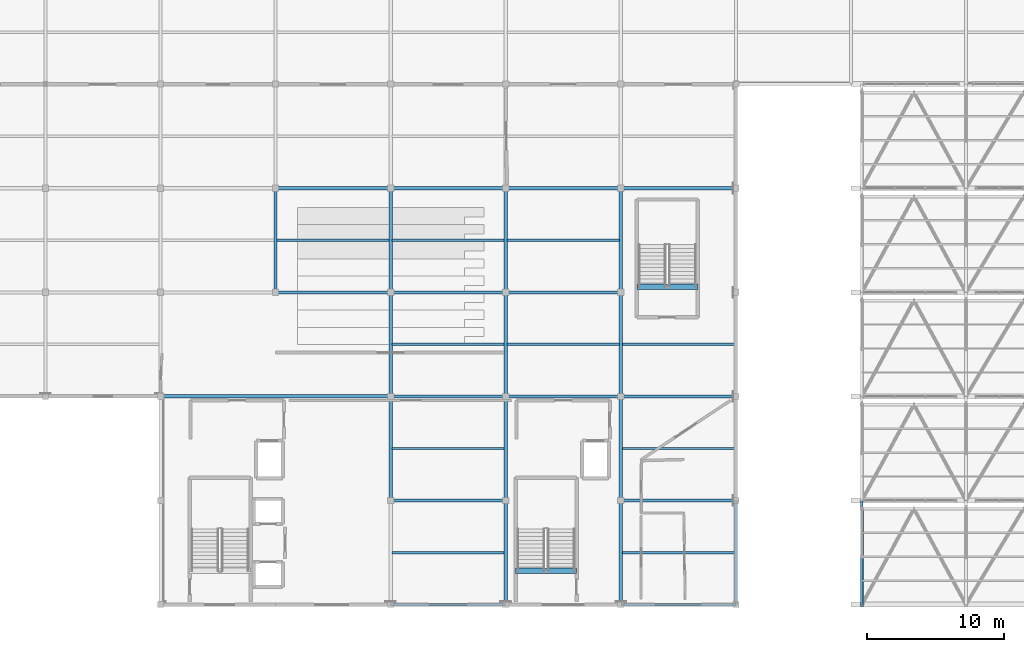
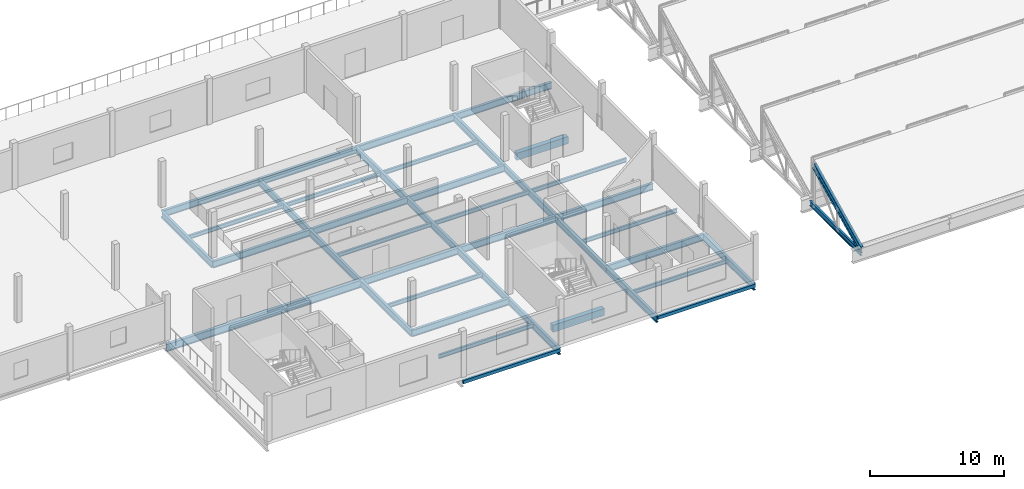
# One storey, part 3 of 57: 40 beams, 2 members.
"""IFC4 building model written with IfcOpenShell, lengths in metres."""

from ifc_helpers import new_model, si_unit, direction, frame, origin, origin_2d, place, context, subcontext, project, spatial, rectangle, hollow_rectangle, i_section, extrude, material, material_profile, profile_set, type_object, element, save


model = new_model("IFC4")

# Units and contexts
model_context = context("Model", 3, precision=1e-05, world=origin(), true_north=direction((0.0, 1.0)))
body_context = subcontext(model_context, "Body", "Model", "MODEL_VIEW")
ifc_project = project(units=[si_unit("LENGTHUNIT", "METRE"), si_unit("AREAUNIT", "SQUARE_METRE"), si_unit("VOLUMEUNIT", "CUBIC_METRE"), si_unit("PLANEANGLEUNIT", "RADIAN"), si_unit("MASSUNIT", "GRAM", prefix="KILO")], contexts=[model_context])

# Site, building, storey
site_placement = place(None, origin())
site = spatial("IfcSite", under=ifc_project, at=site_placement, CompositionType="ELEMENT")
building_placement = place(site_placement, origin())
building = spatial("IfcBuilding", under=site, at=building_placement, Name="Zuvorla Pavilion Media Centre", CompositionType="ELEMENT")
storey_placement = place(building_placement, frame((0.0, 0.0, 18.0)))
storey = spatial("IfcBuildingStorey", under=building, at=storey_placement, Name="L04", CompositionType="ELEMENT", Elevation=18.0)

# Beams
ifc_material_1 = material(Name="Concrete C40/50", Category="concrete")
ifc_material_profile_1 = material_profile(ifc_material_1, rectangle(XDim=0.39990234375, YDim=0.64990234375, at=origin_2d()), Name="RC 400x650")
ifc_profile_set_1 = profile_set([ifc_material_profile_1], Name="Concrete C40/50")
beam_type_1 = type_object("IfcBeamType", Name="BM-RC-650", PredefinedType="BEAM", material=ifc_profile_set_1)
for number, where, z_axis, x_axis, name in (
    (1, (92.72998046875, 8.469970703125, -0.323974609375), (1.0, 0.0, 0.0), (0.0, 1.0, 0.0), "L04 ST-02 landing trimmer beam"),
    (2, (101.580078125, 29.219970703125, -0.323974609375), (1.0, 0.0, 0.0), (0.0, 1.0, 0.0), "L04 ST-04 landing trimmer beam"),
):
    element("IfcBeam", number, at=place(storey_placement, frame(where, z_axis=z_axis, x_axis=x_axis)), inside=storey, type_object=beam_type_1, Name=name, PredefinedType="BEAM", context=body_context, shape_type="SweptSolid", body=[
        extrude(rectangle(XDim=0.39990234375, YDim=0.64990234375, at=origin_2d()), origin(), (0.0, 0.0, 1.0), 4.43994140625),
    ])
ifc_material_2 = material(Name="Steel S355", Category="steel")
ifc_material_profile_2 = material_profile(ifc_material_2, hollow_rectangle(XDim=0.199951171875, YDim=0.300048828125, WallThickness=0.012451171875, at=origin_2d()), Name="RHS 300x200x12.5")
ifc_profile_set_2 = profile_set([ifc_material_profile_2], Name="Steel S355")
beam_type_2 = type_object("IfcBeamType", Name="BM-SP-RHS300", PredefinedType="SPANDREL", material=ifc_profile_set_2)
beam_1_placement = place(storey_placement, frame((83.60009765625, 6.0, -0.577880859375), z_axis=(1.0, 0.0, 0.0), x_axis=(0.0, 1.0, 0.0)))
element("IfcBeam", 3, at=beam_1_placement, inside=storey, type_object=beam_type_2, Name="L04 spandrel SP01 1293", PredefinedType="SPANDREL", context=body_context, shape_type="SweptSolid", body=[
    extrude(hollow_rectangle(XDim=0.199951171875, YDim=0.300048828125, WallThickness=0.012451171875, at=origin_2d()), origin(), (0.0, 0.0, 1.0), 8.39990234375),
])
beam_2_placement = place(storey_placement, frame((100.39990234375, 6.0, -0.577880859375), z_axis=(1.0, 0.0, 0.0), x_axis=(0.0, 1.0, 0.0)))
element("IfcBeam", 4, at=beam_2_placement, inside=storey, type_object=beam_type_2, Name="L04 spandrel SP01 1294", PredefinedType="SPANDREL", context=body_context, shape_type="SweptSolid", body=[
    extrude(hollow_rectangle(XDim=0.199951171875, YDim=0.300048828125, WallThickness=0.012451171875, at=origin_2d()), origin(), (0.0, 0.0, 1.0), 8.400146484375),
])
ifc_material_profile_3 = material_profile(ifc_material_2, i_section(OverallWidth=0.172119140625, OverallDepth=0.35791015625, WebThickness=0.008056640625, FlangeThickness=0.012939453125, FilletRadius=0.01025390625, at=origin_2d()), Name="UB 356x171x57")
ifc_profile_set_3 = profile_set([ifc_material_profile_3], Name="Steel S355")
beam_type_3 = type_object("IfcBeamType", Name="BM-UB356", PredefinedType="JOIST", material=ifc_profile_set_3)
for number, where, z_axis, x_axis, name in (
    (5, (75.3095703125, 32.60009765625, -0.60693359375), (1.0, 0.0, 0.0), (0.0, 1.0, 0.0), "L04 joist J03 1502"),
    (6, (83.70947265625, 9.800048828125, -0.60693359375), (1.0, 0.0, 0.0), (0.0, 1.0, 0.0), "L04 joist J03 1506"),
    (7, (83.70947265625, 17.39990234375, -0.60693359375), (1.0, 0.0, 0.0), (0.0, 1.0, 0.0), "L04 joist J03 1507"),
    (8, (83.70947265625, 25.0, -0.60693359375), (1.0, 0.0, 0.0), (0.0, 1.0, 0.0), "L04 joist J03 1508"),
    (9, (83.70947265625, 32.60009765625, -0.60693359375), (1.0, 0.0, 0.0), (0.0, 1.0, 0.0), "L04 joist J03 1509"),
    (10, (92.109619140625, 25.0, -0.60693359375), (1.0, 0.0, 0.0), (0.0, 1.0, 0.0), "L04 joist J03 1513"),
    (11, (92.109619140625, 32.60009765625, -0.60693359375), (1.0, 0.0, 0.0), (0.0, 1.0, 0.0), "L04 joist J03 1514"),
    (12, (100.509521484375, 9.800048828125, -0.60693359375), (1.0, 0.0, 0.0), (0.0, 1.0, 0.0), "L04 joist J03 1517"),
    (13, (100.509521484375, 17.39990234375, -0.60693359375), (1.0, 0.0, 0.0), (0.0, 1.0, 0.0), "L04 joist J03 1518"),
    (14, (100.509521484375, 25.0, -0.60693359375), (1.0, 0.0, 0.0), (0.0, 1.0, 0.0), "L04 joist J03 1519"),
):
    element("IfcBeam", number, at=place(storey_placement, frame(where, z_axis=z_axis, x_axis=x_axis)), inside=storey, type_object=beam_type_3, Name=name, PredefinedType="JOIST", context=body_context, shape_type="SweptSolid", body=[
        extrude(i_section(OverallWidth=0.172119140625, OverallDepth=0.35791015625, WebThickness=0.008056640625, FlangeThickness=0.012939453125, FilletRadius=0.01025390625, at=origin_2d()), origin(), (0.0, 0.0, 1.0), 8.180908203125),
    ])
ifc_material_profile_4 = material_profile(ifc_material_2, i_section(OverallWidth=0.22900390625, OverallDepth=0.6123046875, WebThickness=0.011962890625, FlangeThickness=0.01953125, FilletRadius=0.0126953125, at=origin_2d()), Name="UB 610x229x125")
ifc_profile_set_4 = profile_set([ifc_material_profile_4], Name="Steel S355")
beam_type_4 = type_object("IfcBeamType", Name="BM-UB610", PredefinedType="BEAM", material=ifc_profile_set_4)
beam_3_placement = place(storey_placement, frame((83.60009765625, 13.60009765625, -0.734130859375), z_axis=(1.0, 0.0, 0.0), x_axis=(0.0, 1.0, 0.0)))
element("IfcBeam", 15, at=beam_3_placement, inside=storey, type_object=beam_type_4, Name="L04 beam B07 1295", PredefinedType="BEAM", context=body_context, shape_type="SweptSolid", body=[
    extrude(i_section(OverallWidth=0.22900390625, OverallDepth=0.6123046875, WebThickness=0.011962890625, FlangeThickness=0.01953125, FilletRadius=0.0126953125, at=origin_2d()), origin(), (0.0, 0.0, 1.0), 8.39990234375),
])
beam_4_placement = place(storey_placement, frame((100.39990234375, 13.60009765625, -0.734130859375), z_axis=(1.0, 0.0, 0.0), x_axis=(0.0, 1.0, 0.0)))
element("IfcBeam", 16, at=beam_4_placement, inside=storey, type_object=beam_type_4, Name="L04 beam B07 1296", PredefinedType="BEAM", context=body_context, shape_type="SweptSolid", body=[
    extrude(i_section(OverallWidth=0.22900390625, OverallDepth=0.6123046875, WebThickness=0.011962890625, FlangeThickness=0.01953125, FilletRadius=0.0126953125, at=origin_2d()), origin(), (0.0, 0.0, 1.0), 8.400146484375),
])
for number, where, z_axis, x_axis, name in (
    (17, (83.60009765625, 21.199951171875, -0.734130859375), (1.0, 0.0, 0.0), (0.0, 1.0, 0.0), "L04 beam B07 1301"),
    (18, (92.0, 21.199951171875, -0.734130859375), (1.0, 0.0, 0.0), (0.0, 1.0, 0.0), "L04 beam B07 1302"),
):
    element("IfcBeam", number, at=place(storey_placement, frame(where, z_axis=z_axis, x_axis=x_axis)), inside=storey, type_object=beam_type_4, Name=name, PredefinedType="BEAM", context=body_context, shape_type="SweptSolid", body=[
        extrude(i_section(OverallWidth=0.22900390625, OverallDepth=0.6123046875, WebThickness=0.011962890625, FlangeThickness=0.01953125, FilletRadius=0.0126953125, at=origin_2d()), origin(), (0.0, 0.0, 1.0), 8.39990234375),
    ])
for number, where, z_axis, x_axis, name in (
    (19, (100.39990234375, 21.199951171875, -0.734130859375), (1.0, 0.0, 0.0), (0.0, 1.0, 0.0), "L04 beam B07 1303"),
    (20, (75.199951171875, 28.800048828125, -0.734130859375), (1.0, 0.0, 0.0), (0.0, 1.0, 0.0), "L04 beam B07 1308"),
):
    element("IfcBeam", number, at=place(storey_placement, frame(where, z_axis=z_axis, x_axis=x_axis)), inside=storey, type_object=beam_type_4, Name=name, PredefinedType="BEAM", context=body_context, shape_type="SweptSolid", body=[
        extrude(i_section(OverallWidth=0.22900390625, OverallDepth=0.6123046875, WebThickness=0.011962890625, FlangeThickness=0.01953125, FilletRadius=0.0126953125, at=origin_2d()), origin(), (0.0, 0.0, 1.0), 8.400146484375),
    ])
for number, where, z_axis, x_axis, name in (
    (21, (83.60009765625, 28.800048828125, -0.734130859375), (1.0, 0.0, 0.0), (0.0, 1.0, 0.0), "L04 beam B07 1309"),
    (22, (92.0, 28.800048828125, -0.734130859375), (1.0, 0.0, 0.0), (0.0, 1.0, 0.0), "L04 beam B07 1310"),
):
    element("IfcBeam", number, at=place(storey_placement, frame(where, z_axis=z_axis, x_axis=x_axis)), inside=storey, type_object=beam_type_4, Name=name, PredefinedType="BEAM", context=body_context, shape_type="SweptSolid", body=[
        extrude(i_section(OverallWidth=0.22900390625, OverallDepth=0.6123046875, WebThickness=0.011962890625, FlangeThickness=0.01953125, FilletRadius=0.0126953125, at=origin_2d()), origin(), (0.0, 0.0, 1.0), 8.39990234375),
    ])
beam_5_placement = place(storey_placement, frame((75.199951171875, 36.39990234375, -0.734130859375), z_axis=(1.0, 0.0, 0.0), x_axis=(0.0, 1.0, 0.0)))
element("IfcBeam", 23, at=beam_5_placement, inside=storey, type_object=beam_type_4, Name="L04 beam B07 1314", PredefinedType="BEAM", context=body_context, shape_type="SweptSolid", body=[
    extrude(i_section(OverallWidth=0.22900390625, OverallDepth=0.6123046875, WebThickness=0.011962890625, FlangeThickness=0.01953125, FilletRadius=0.0126953125, at=origin_2d()), origin(), (0.0, 0.0, 1.0), 8.400146484375),
])
for number, where, z_axis, x_axis, name in (
    (24, (83.60009765625, 36.39990234375, -0.734130859375), (1.0, 0.0, 0.0), (0.0, 1.0, 0.0), "L04 beam B07 1315"),
    (25, (92.0, 36.39990234375, -0.734130859375), (1.0, 0.0, 0.0), (0.0, 1.0, 0.0), "L04 beam B07 1316"),
):
    element("IfcBeam", number, at=place(storey_placement, frame(where, z_axis=z_axis, x_axis=x_axis)), inside=storey, type_object=beam_type_4, Name=name, PredefinedType="BEAM", context=body_context, shape_type="SweptSolid", body=[
        extrude(i_section(OverallWidth=0.22900390625, OverallDepth=0.6123046875, WebThickness=0.011962890625, FlangeThickness=0.01953125, FilletRadius=0.0126953125, at=origin_2d()), origin(), (0.0, 0.0, 1.0), 8.39990234375),
    ])
beam_6_placement = place(storey_placement, frame((100.39990234375, 36.39990234375, -0.734130859375), z_axis=(1.0, 0.0, 0.0), x_axis=(0.0, 1.0, 0.0)))
element("IfcBeam", 26, at=beam_6_placement, inside=storey, type_object=beam_type_4, Name="L04 beam B07 1317", PredefinedType="BEAM", context=body_context, shape_type="SweptSolid", body=[
    extrude(i_section(OverallWidth=0.22900390625, OverallDepth=0.6123046875, WebThickness=0.011962890625, FlangeThickness=0.01953125, FilletRadius=0.0126953125, at=origin_2d()), origin(), (0.0, 0.0, 1.0), 8.400146484375),
])
for number, where, z_axis, x_axis, name in (
    (27, (75.199951171875, 28.800048828125, -0.734130859375), (0.0, 1.0, 0.0), (-1.0, 0.0, 0.0), "L04 beam B07 1424"),
    (28, (83.60009765625, 13.60009765625, -0.734130859375), (0.0, 1.0, 0.0), (-1.0, 0.0, 0.0), "L04 beam B07 1429"),
):
    element("IfcBeam", number, at=place(storey_placement, frame(where, z_axis=z_axis, x_axis=x_axis)), inside=storey, type_object=beam_type_4, Name=name, PredefinedType="BEAM", context=body_context, shape_type="SweptSolid", body=[
        extrude(i_section(OverallWidth=0.22900390625, OverallDepth=0.6123046875, WebThickness=0.011962890625, FlangeThickness=0.01953125, FilletRadius=0.0126953125, at=origin_2d()), origin(), (0.0, 0.0, 1.0), 7.599853515625),
    ])
beam_7_placement = place(storey_placement, frame((83.60009765625, 21.199951171875, -0.734130859375), z_axis=(0.0, 1.0, 0.0), x_axis=(-1.0, 0.0, 0.0)))
element("IfcBeam", 29, at=beam_7_placement, inside=storey, type_object=beam_type_4, Name="L04 beam B07 1430", PredefinedType="BEAM", context=body_context, shape_type="SweptSolid", body=[
    extrude(i_section(OverallWidth=0.22900390625, OverallDepth=0.6123046875, WebThickness=0.011962890625, FlangeThickness=0.01953125, FilletRadius=0.0126953125, at=origin_2d()), origin(), (0.0, 0.0, 1.0), 7.60009765625),
])
beam_8_placement = place(storey_placement, frame((83.60009765625, 28.800048828125, -0.734130859375), z_axis=(0.0, 1.0, 0.0), x_axis=(-1.0, 0.0, 0.0)))
element("IfcBeam", 30, at=beam_8_placement, inside=storey, type_object=beam_type_4, Name="L04 beam B07 1431", PredefinedType="BEAM", context=body_context, shape_type="SweptSolid", body=[
    extrude(i_section(OverallWidth=0.22900390625, OverallDepth=0.6123046875, WebThickness=0.011962890625, FlangeThickness=0.01953125, FilletRadius=0.0126953125, at=origin_2d()), origin(), (0.0, 0.0, 1.0), 7.599853515625),
])
beam_9_placement = place(storey_placement, frame((92.0, 6.0, -0.734130859375), z_axis=(0.0, 1.0, 0.0), x_axis=(-1.0, 0.0, 0.0)))
element("IfcBeam", 31, at=beam_9_placement, inside=storey, type_object=beam_type_4, Name="L04 beam B07 1435", PredefinedType="BEAM", context=body_context, shape_type="SweptSolid", body=[
    extrude(i_section(OverallWidth=0.22900390625, OverallDepth=0.6123046875, WebThickness=0.011962890625, FlangeThickness=0.01953125, FilletRadius=0.0126953125, at=origin_2d()), origin(), (0.0, 0.0, 1.0), 7.60009765625),
])
beam_10_placement = place(storey_placement, frame((92.0, 13.60009765625, -0.734130859375), z_axis=(0.0, 1.0, 0.0), x_axis=(-1.0, 0.0, 0.0)))
element("IfcBeam", 32, at=beam_10_placement, inside=storey, type_object=beam_type_4, Name="L04 beam B07 1436", PredefinedType="BEAM", context=body_context, shape_type="SweptSolid", body=[
    extrude(i_section(OverallWidth=0.22900390625, OverallDepth=0.6123046875, WebThickness=0.011962890625, FlangeThickness=0.01953125, FilletRadius=0.0126953125, at=origin_2d()), origin(), (0.0, 0.0, 1.0), 7.599853515625),
])
beam_11_placement = place(storey_placement, frame((92.0, 21.199951171875, -0.734130859375), z_axis=(0.0, 1.0, 0.0), x_axis=(-1.0, 0.0, 0.0)))
element("IfcBeam", 33, at=beam_11_placement, inside=storey, type_object=beam_type_4, Name="L04 beam B07 1437", PredefinedType="BEAM", context=body_context, shape_type="SweptSolid", body=[
    extrude(i_section(OverallWidth=0.22900390625, OverallDepth=0.6123046875, WebThickness=0.011962890625, FlangeThickness=0.01953125, FilletRadius=0.0126953125, at=origin_2d()), origin(), (0.0, 0.0, 1.0), 7.60009765625),
])
beam_12_placement = place(storey_placement, frame((92.0, 28.800048828125, -0.734130859375), z_axis=(0.0, 1.0, 0.0), x_axis=(-1.0, 0.0, 0.0)))
element("IfcBeam", 34, at=beam_12_placement, inside=storey, type_object=beam_type_4, Name="L04 beam B07 1438", PredefinedType="BEAM", context=body_context, shape_type="SweptSolid", body=[
    extrude(i_section(OverallWidth=0.22900390625, OverallDepth=0.6123046875, WebThickness=0.011962890625, FlangeThickness=0.01953125, FilletRadius=0.0126953125, at=origin_2d()), origin(), (0.0, 0.0, 1.0), 7.599853515625),
])
beam_13_placement = place(storey_placement, frame((100.39990234375, 6.0, -0.734130859375), z_axis=(0.0, 1.0, 0.0), x_axis=(-1.0, 0.0, 0.0)))
element("IfcBeam", 35, at=beam_13_placement, inside=storey, type_object=beam_type_4, Name="L04 beam B07 1442", PredefinedType="BEAM", context=body_context, shape_type="SweptSolid", body=[
    extrude(i_section(OverallWidth=0.22900390625, OverallDepth=0.6123046875, WebThickness=0.011962890625, FlangeThickness=0.01953125, FilletRadius=0.0126953125, at=origin_2d()), origin(), (0.0, 0.0, 1.0), 7.60009765625),
])
beam_14_placement = place(storey_placement, frame((100.39990234375, 13.60009765625, -0.734130859375), z_axis=(0.0, 1.0, 0.0), x_axis=(-1.0, 0.0, 0.0)))
element("IfcBeam", 36, at=beam_14_placement, inside=storey, type_object=beam_type_4, Name="L04 beam B07 1443", PredefinedType="BEAM", context=body_context, shape_type="SweptSolid", body=[
    extrude(i_section(OverallWidth=0.22900390625, OverallDepth=0.6123046875, WebThickness=0.011962890625, FlangeThickness=0.01953125, FilletRadius=0.0126953125, at=origin_2d()), origin(), (0.0, 0.0, 1.0), 7.599853515625),
])
beam_15_placement = place(storey_placement, frame((100.39990234375, 21.199951171875, -0.734130859375), z_axis=(0.0, 1.0, 0.0), x_axis=(-1.0, 0.0, 0.0)))
element("IfcBeam", 37, at=beam_15_placement, inside=storey, type_object=beam_type_4, Name="L04 beam B07 1444", PredefinedType="BEAM", context=body_context, shape_type="SweptSolid", body=[
    extrude(i_section(OverallWidth=0.22900390625, OverallDepth=0.6123046875, WebThickness=0.011962890625, FlangeThickness=0.01953125, FilletRadius=0.0126953125, at=origin_2d()), origin(), (0.0, 0.0, 1.0), 7.60009765625),
])
beam_16_placement = place(storey_placement, frame((100.39990234375, 28.800048828125, -0.734130859375), z_axis=(0.0, 1.0, 0.0), x_axis=(-1.0, 0.0, 0.0)))
element("IfcBeam", 38, at=beam_16_placement, inside=storey, type_object=beam_type_4, Name="L04 beam B07 1445", PredefinedType="BEAM", context=body_context, shape_type="SweptSolid", body=[
    extrude(i_section(OverallWidth=0.22900390625, OverallDepth=0.6123046875, WebThickness=0.011962890625, FlangeThickness=0.01953125, FilletRadius=0.0126953125, at=origin_2d()), origin(), (0.0, 0.0, 1.0), 7.599853515625),
])
beam_17_placement = place(storey_placement, frame((108.800048828125, 6.0, -0.734130859375), z_axis=(0.0, 1.0, 0.0), x_axis=(-1.0, 0.0, 0.0)))
element("IfcBeam", 39, at=beam_17_placement, inside=storey, type_object=beam_type_4, Name="L04 beam B07 1449", PredefinedType="BEAM", context=body_context, shape_type="SweptSolid", body=[
    extrude(i_section(OverallWidth=0.22900390625, OverallDepth=0.6123046875, WebThickness=0.011962890625, FlangeThickness=0.01953125, FilletRadius=0.0126953125, at=origin_2d()), origin(), (0.0, 0.0, 1.0), 7.60009765625),
])
ifc_material_profile_5 = material_profile(ifc_material_2, i_section(OverallWidth=0.25439453125, OverallDepth=0.6875, WebThickness=0.01318359375, FlangeThickness=0.02099609375, FilletRadius=0.01513671875, at=origin_2d()), Name="UB 686x254x152")
ifc_profile_set_5 = profile_set([ifc_material_profile_5], Name="Steel S355")
beam_type_5 = type_object("IfcBeamType", Name="BM-UB686", PredefinedType="BEAM", material=ifc_profile_set_5)
beam_18_placement = place(storey_placement, frame((66.800048828125, 21.199951171875, -0.771728515625), z_axis=(1.0, 0.0, 0.0), x_axis=(0.0, 1.0, 0.0)))
element("IfcBeam", 40, at=beam_18_placement, inside=storey, type_object=beam_type_5, Name="L04 beam B06 1300", PredefinedType="BEAM", context=body_context, shape_type="SweptSolid", body=[
    extrude(i_section(OverallWidth=0.25439453125, OverallDepth=0.6875, WebThickness=0.01318359375, FlangeThickness=0.02099609375, FilletRadius=0.01513671875, at=origin_2d()), origin(), (0.0, 0.0, 1.0), 16.800048828125),
])

# Members
ifc_material_profile_6 = material_profile(ifc_material_2, i_section(OverallWidth=0.19140625, OverallDepth=0.4599609375, WebThickness=0.010009765625, FlangeThickness=0.01611328125, FilletRadius=0.01025390625, at=origin_2d()), Name="UB 457x191x82")
ifc_profile_set_6 = profile_set([ifc_material_profile_6], Name="Steel S355")
member_type_1 = type_object("IfcMemberType", Name="MEM-CHD-UB457", PredefinedType="CHORD", material=ifc_profile_set_6)
member_1_placement = place(storey_placement, frame((118.0, 6.0, -0.8798828125), z_axis=(0.0, 1.0, 0.0), x_axis=(-1.0, 0.0, 0.0)))
element("IfcMember", 41, at=member_1_placement, inside=storey, type_object=member_type_1, Name="L04 chord TC03 498", PredefinedType="CHORD", context=body_context, shape_type="SweptSolid", body=[
    extrude(i_section(OverallWidth=0.19140625, OverallDepth=0.4599609375, WebThickness=0.010009765625, FlangeThickness=0.01611328125, FilletRadius=0.01025390625, at=origin_2d()), origin(), (0.0, 0.0, 1.0), 7.60009765625),
])
ifc_material_profile_7 = material_profile(ifc_material_2, i_section(OverallWidth=0.22900390625, OverallDepth=0.6123046875, WebThickness=0.011962890625, FlangeThickness=0.01953125, FilletRadius=0.0126953125, at=origin_2d()), Name="UB 610x229x125")
ifc_profile_set_7 = profile_set([ifc_material_profile_7], Name="Steel S355")
member_type_2 = type_object("IfcMemberType", Name="MEM-CHD-UB610", PredefinedType="CHORD", material=ifc_profile_set_7)
member_2_placement = place(storey_placement, frame((118.0, 6.0, -0.517822265625), z_axis=(0.0, 0.899513090263, 0.436893809117), x_axis=(-1.0, 0.0, 0.0)))
element("IfcMember", 42, at=member_2_placement, inside=storey, type_object=member_type_2, Name="L04 chord TC01 499", PredefinedType="CHORD", context=body_context, shape_type="SweptSolid", body=[
    extrude(i_section(OverallWidth=0.22900390625, OverallDepth=0.6123046875, WebThickness=0.011962890625, FlangeThickness=0.01953125, FilletRadius=0.0126953125, at=origin_2d()), origin(), (0.0, 0.0, 1.0), 7.781982421875),
])

save(model, "model.ifc")
